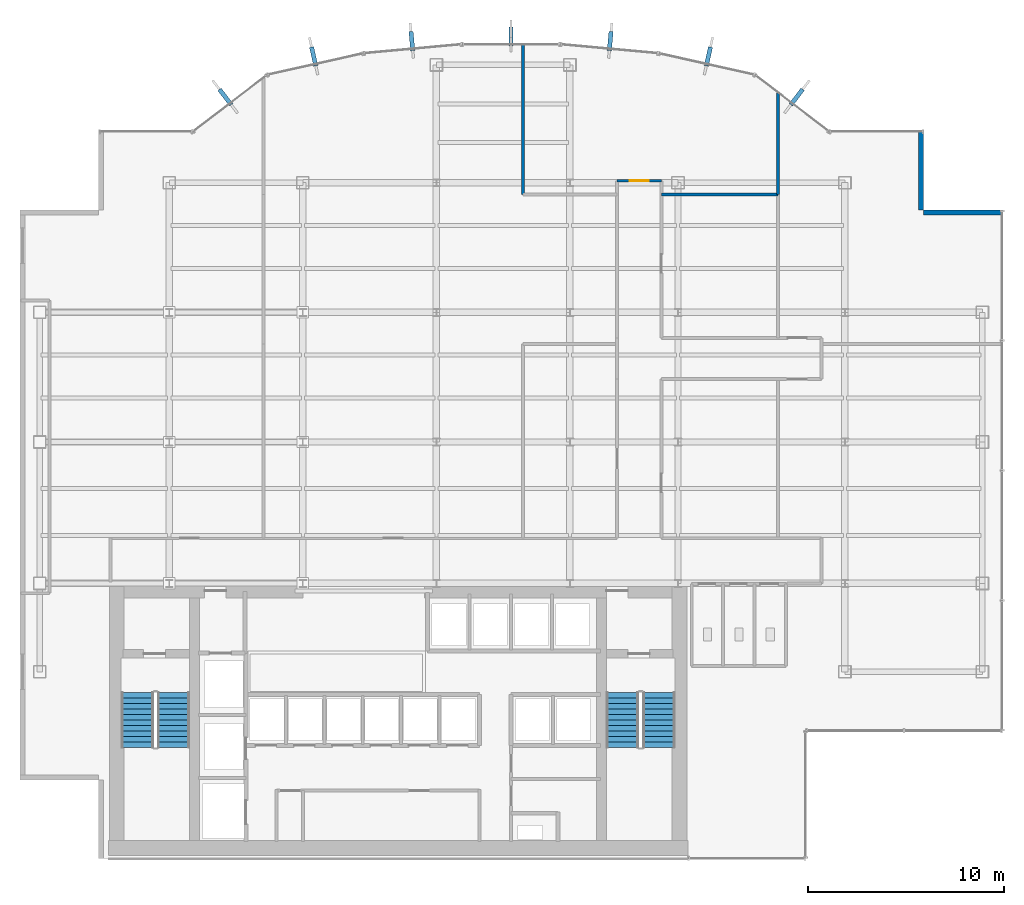
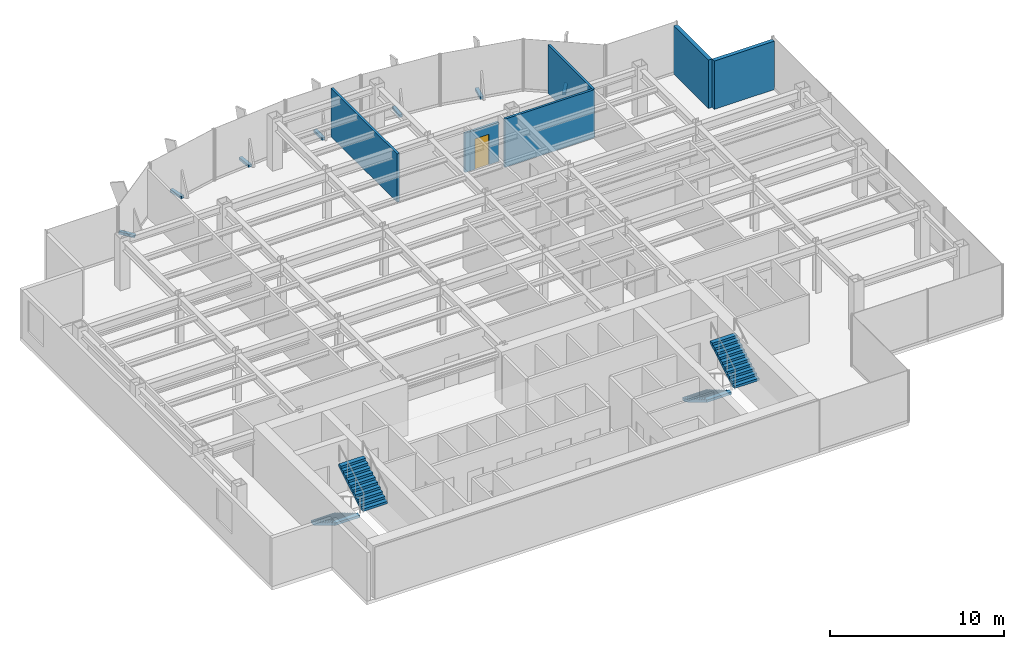
# One storey, part 16 of 19: 7 discrete accessories, 6 walls, 4 stair flights, 1 door, 1 opening, 2 elements without a shape of their own.
"""IFC4 building model written with IfcOpenShell, lengths in metres."""

from ifc_helpers import new_model, si_unit, derived_unit, direction, frame, frame_2d, origin, origin_2d, place, context, subcontext, project, spatial, polyline, rectangle, outline, extrude, source, transform, mapped, material, layer, layer_set, type_object, element, fill, aggregate, save


model = new_model("IFC4")

# Units and contexts
model_context = context("Model", 3, precision=1e-05, world=origin(), true_north=direction((0.0, 1.0)))
body_context = subcontext(model_context, "Body", "Model", "MODEL_VIEW")
ifc_project = project(units=[si_unit("LENGTHUNIT", "METRE"), si_unit("AREAUNIT", "SQUARE_METRE"), si_unit("VOLUMEUNIT", "CUBIC_METRE"), si_unit("PLANEANGLEUNIT", "RADIAN"), si_unit("MASSUNIT", "GRAM", prefix="KILO"), derived_unit("THERMALTRANSMITTANCEUNIT", [(si_unit("POWERUNIT", "WATT"), 1), (si_unit("LENGTHUNIT", "METRE"), -2), (si_unit("THERMODYNAMICTEMPERATUREUNIT", "KELVIN"), -1)])], contexts=[model_context])

# Site, building, storey
site_placement = place(None, origin())
site = spatial("IfcSite", under=ifc_project, at=site_placement, CompositionType="ELEMENT")
building_placement = place(site_placement, origin())
building = spatial("IfcBuilding", under=site, at=building_placement, Name="Skarnbrae Concourse Arena and Tower", CompositionType="ELEMENT")
storey_placement = place(building_placement, frame((0.0, 0.0, 180.75)))
storey = spatial("IfcBuildingStorey", under=building, at=storey_placement, Name="L46", CompositionType="ELEMENT", Elevation=180.75)

# Walls
ifc_material_1 = material(Name="Precast concrete 40 MPa (C40/50)", Category="concrete")
ifc_layer_1 = layer(ifc_material_1, 0.25)
ifc_layer_set_1 = layer_set([ifc_layer_1], Name="Precast concrete 40 MPa (C40/50)")
wall_type_1 = type_object("IfcWallType", Name="WALL-EXT-SPANDREL-250", PredefinedType="STANDARD", material=ifc_layer_set_1)
shared_shape_1 = source(origin(), body_context, "Body", "SweptSolid", [
    extrude(rectangle(XDim=4.0, YDim=0.25, at=frame_2d((2.0, 0.0))), origin(), (0.0, 0.0, 1.0), 3.39990234375),
])
for number, where, z_axis, x_axis, name in (
    (1, (50.0, 32.875, 0.0), (0.0, 0.0, 1.0), (-1.0, 0.0, 0.0), "L46 Notched corner insulated return wall 05"),
    (2, (45.875, 33.0, 0.0), (0.0, 0.0, 1.0), (0.0, 1.0, 0.0), "L46 Notched corner insulated return wall 06"),
):
    element("IfcWall", number, at=place(storey_placement, frame(where, z_axis=z_axis, x_axis=x_axis)), inside=storey, type_object=wall_type_1, Name=name, PredefinedType="STANDARD", context=body_context, shape_type="MappedRepresentation", body=[
        mapped(shared_shape_1, transform((0.0, 0.0, 0.0))),
    ])

# Wall, opening, door
ifc_material_2 = material(Name="Gypsum board on cold-formed steel studs", Category="steel")
ifc_layer_2 = layer(ifc_material_2, 0.14990234375)
ifc_layer_set_2 = layer_set([ifc_layer_2], Name="Gypsum board on cold-formed steel studs")
wall_type_2 = type_object("IfcWallType", Name="WALL-PART-150-1HR", PredefinedType="PARTITIONING", material=ifc_layer_set_2)
shared_shape_2 = source(origin(), body_context, "Body", "SweptSolid", [
    extrude(rectangle(XDim=2.25, YDim=0.14990234375, at=frame_2d((1.125, 0.0))), origin(), (0.0, 0.0, 1.0), 2.760009765625),
])
wall_1_placement = place(storey_placement, frame((30.39990234375, 34.5, 0.0), z_axis=(0.0, 0.0, 1.0), x_axis=(1.0, 0.0, 0.0)))
wall_1 = element("IfcWall", 3, at=wall_1_placement, inside=storey, type_object=wall_type_2, Name="L46 Interior partition wall W-L46-COR-06", PredefinedType="PARTITIONING", context=body_context, shape_type="MappedRepresentation", body=[
    mapped(shared_shape_2, transform((0.0, 0.0, 0.0))),
])
opening_placement = place(wall_1_placement, frame((0.64990234375, 0.0, 0.0)))
opening = element("IfcOpeningElement", 4, at=opening_placement, cuts=wall_1, Name="Opening DT-04", PredefinedType="OPENING", context=body_context, shape_type="SweptSolid", body=[
    extrude(rectangle(XDim=0.949951171875, YDim=2.14990234375, at=frame_2d((0.47509765625, 1.074951171875))), frame((0.0, 0.0849609375, 0.0), z_axis=(0.0, -1.0, 0.0), x_axis=(1.0, 0.0, 0.0)), (0.0, 0.0, 1.0), 0.169921875),
])
ifc_material_3 = material(Name="Steel CSA G40.21 350W", Category="steel")
door_type = type_object("IfcDoorType", Name="DOOR-INT-950-45M", OperationType="NOTDEFINED", PredefinedType="DOOR", material=ifc_material_3)
shared_shape_3 = source(origin(), body_context, "Body", "SweptSolid", [
    extrude(rectangle(XDim=0.949951171875, YDim=2.14990234375, at=frame_2d((0.47509765625, 1.074951171875))), frame((0.0, 0.02490234375, 0.0), z_axis=(0.0, -1.0, 0.0), x_axis=(1.0, 0.0, 0.0)), (0.0, 0.0, 1.0), 0.050048828125),
])
door_placement = place(opening_placement, origin())
door = element("IfcDoor", 5, at=door_placement, inside=storey, type_object=door_type, Name="D-1429 L46 Suite Door 04", OperationType="SINGLE_SWING_LEFT", OverallHeight=2.14990234375, OverallWidth=0.949951171875, PredefinedType="DOOR", context=body_context, shape_type="MappedRepresentation", body=[
    mapped(shared_shape_3, transform((0.0, 0.0, 0.0))),
])
fill(opening, door)

# Walls
ifc_layer_3 = layer(ifc_material_2, 0.14990234375)
ifc_layer_set_3 = layer_set([ifc_layer_3], Name="Gypsum board on cold-formed steel studs")
wall_type_3 = type_object("IfcWallType", Name="WALL-PART-150", PredefinedType="PARTITIONING", material=ifc_layer_set_3)
shared_shape_4 = source(origin(), body_context, "Body", "SweptSolid", [
    extrude(rectangle(XDim=7.62548828125, YDim=0.14990234375, at=frame_2d((3.812744140625, 0.0))), origin(), (0.0, 0.0, 1.0), 3.39990234375),
])
wall_2_placement = place(storey_placement, frame((25.60009765625, 41.425537109375, 0.0), z_axis=(0.0, 0.0, 1.0), x_axis=(0.0, -1.0, 0.0)))
element("IfcWall", 6, at=wall_2_placement, inside=storey, type_object=wall_type_3, Name="L46 Interior partition wall W-L46-DEM-20", PredefinedType="PARTITIONING", context=body_context, shape_type="MappedRepresentation", body=[
    mapped(shared_shape_4, transform((0.0, 0.0, 0.0))),
])
shared_shape_5 = source(origin(), body_context, "Body", "SweptSolid", [
    extrude(rectangle(XDim=5.9501953125, YDim=0.14990234375, at=frame_2d((2.97509765625, 0.0))), origin(), (0.0, 0.0, 1.0), 3.39990234375),
])
wall_3_placement = place(storey_placement, frame((38.60009765625, 33.800048828125, 0.0), z_axis=(0.0, 0.0, 1.0), x_axis=(-1.0, 0.0, 0.0)))
element("IfcWall", 7, at=wall_3_placement, inside=storey, type_object=wall_type_3, Name="L46 Interior partition wall W-L46-DEM-22", PredefinedType="PARTITIONING", context=body_context, shape_type="MappedRepresentation", body=[
    mapped(shared_shape_5, transform((0.0, 0.0, 0.0))),
])
shared_shape_6 = source(origin(), body_context, "Body", "SweptSolid", [
    extrude(rectangle(XDim=5.158935546875, YDim=0.14990234375, at=frame_2d((2.57958984375, 0.0))), origin(), (0.0, 0.0, 1.0), 3.39990234375),
])
wall_4_placement = place(storey_placement, frame((38.60009765625, 38.958984375, 0.0), z_axis=(0.0, 0.0, 1.0), x_axis=(0.0, -1.0, 0.0)))
element("IfcWall", 8, at=wall_4_placement, inside=storey, type_object=wall_type_3, Name="L46 Interior partition wall W-L46-DEM-25", PredefinedType="PARTITIONING", context=body_context, shape_type="MappedRepresentation", body=[
    mapped(shared_shape_6, transform((0.0, 0.0, 0.0))),
])

# Stair, stair flights
ifc_material_4 = material(Name="Concrete 40 MPa (C40/50)", Category="concrete")
stair_type = type_object("IfcStairType", Name="STAIR-DOGLEG-1650", PredefinedType="HALF_TURN_STAIR", material=ifc_material_4)
stair_1_placement = place(storey_placement, origin())
stair_1 = element("IfcStair", 9, at=stair_1_placement, inside=storey, type_object=stair_type, Name="L46 Protected Exit Stair ST-1", PredefinedType="HALF_TURN_STAIR")
stair_flight_type = type_object("IfcStairFlightType", Name="FLIGHT-STRAIGHT-1650", PredefinedType="STRAIGHT", material=ifc_material_4)
shared_shape_7 = source(origin(), body_context, "Body", "SweptSolid", [
    extrude(outline(polyline([(0.0, 0.0), (0.0, 0.166015625), (0.280029296875, 0.166015625), (0.280029296875, 0.331787109375), (0.56005859375, 0.331787109375), (0.56005859375, 0.497802734375), (0.840087890625, 0.497802734375), (0.840087890625, 0.66357421875), (1.1201171875, 0.66357421875), (1.1201171875, 0.82958984375), (1.39990234375, 0.82958984375), (1.39990234375, 0.995361328125), (1.679931640625, 0.995361328125), (1.679931640625, 1.161376953125), (1.9599609375, 1.161376953125), (1.9599609375, 1.327392578125), (2.239990234375, 1.327392578125), (2.239990234375, 1.4931640625), (2.52001953125, 1.4931640625), (2.52001953125, 1.6591796875), (2.800048828125, 1.6591796875), (2.800048828125, 1.824951171875), (2.800048828125, 1.48486328125), (0.2939453125, 0.0), (0.0, 0.0)])), frame((0.0, 0.824951171875, 0.0), z_axis=(0.0, -1.0, 0.0), x_axis=(1.0, 0.0, 0.0)), (0.0, 0.0, 1.0), 1.64990234375),
])
stair_flight_1_placement = place(storey_placement, frame((5.97509765625, 8.449951171875, 0.0), z_axis=(0.0, 0.0, 1.0), x_axis=(0.0, -1.0, 0.0)))
stair_flight_1 = element("IfcStairFlight", 10, at=stair_flight_1_placement, type_object=stair_flight_type, Name="ST-1 flight 1", NumberOfRisers=11, NumberOfTreads=10, PredefinedType="STRAIGHT", RiserHeight=0.165909091, TreadLength=0.28, context=body_context, shape_type="MappedRepresentation", body=[
    mapped(shared_shape_7, transform((0.0, 0.0, 0.0))),
])
stair_flight_2_placement = place(storey_placement, frame((7.824951171875, 5.64990234375, 1.824951171875), z_axis=(0.0, 0.0, 1.0), x_axis=(0.0, 1.0, 0.0)))
stair_flight_2 = element("IfcStairFlight", 11, at=stair_flight_2_placement, type_object=stair_flight_type, Name="ST-1 flight 2", NumberOfRisers=11, NumberOfTreads=10, PredefinedType="STRAIGHT", RiserHeight=0.165909091, TreadLength=0.28, context=body_context, shape_type="MappedRepresentation", body=[
    mapped(shared_shape_7, transform((0.0, 0.0, 0.0))),
])
aggregate(stair_1, [stair_flight_1, stair_flight_2])

stair_2_placement = place(storey_placement, origin())
stair_2 = element("IfcStair", 12, at=stair_2_placement, inside=storey, type_object=stair_type, Name="L46 Protected Exit Stair ST-2", PredefinedType="HALF_TURN_STAIR")
stair_flight_3_placement = place(storey_placement, frame((30.675048828125, 8.449951171875, 0.0), z_axis=(0.0, 0.0, 1.0), x_axis=(0.0, -1.0, 0.0)))
stair_flight_3 = element("IfcStairFlight", 13, at=stair_flight_3_placement, type_object=stair_flight_type, Name="ST-2 flight 1", NumberOfRisers=11, NumberOfTreads=10, PredefinedType="STRAIGHT", RiserHeight=0.165909091, TreadLength=0.28, context=body_context, shape_type="MappedRepresentation", body=[
    mapped(shared_shape_7, transform((0.0, 0.0, 0.0))),
])
stair_flight_4_placement = place(storey_placement, frame((32.52490234375, 5.64990234375, 1.824951171875), z_axis=(0.0, 0.0, 1.0), x_axis=(0.0, 1.0, 0.0)))
stair_flight_4 = element("IfcStairFlight", 14, at=stair_flight_4_placement, type_object=stair_flight_type, Name="ST-2 flight 2", NumberOfRisers=11, NumberOfTreads=10, PredefinedType="STRAIGHT", RiserHeight=0.165909091, TreadLength=0.28, context=body_context, shape_type="MappedRepresentation", body=[
    mapped(shared_shape_7, transform((0.0, 0.0, 0.0))),
])
aggregate(stair_2, [stair_flight_3, stair_flight_4])

# Discrete accessories
ifc_material_5 = material(Name="Bronze anodised aluminium 6063-T6", Category="aluminium")
discrete_accessory_type = type_object("IfcDiscreteAccessoryType", Name="ACC-FIN-BRACKET", PredefinedType="BRACKET", material=ifc_material_5)
shared_shape_8 = source(origin(), body_context, "Body", "SweptSolid", [
    extrude(rectangle(XDim=0.219970703125, YDim=0.97998046875, at=origin_2d()), origin(), (0.0, 0.0, 1.0), 0.179931640625),
])
for number, where, z_axis, x_axis, name in (
    (15, (39.54736328125, 38.764404296875, -0.02978515625), (0.0, 0.0, 1.0), (0.794954941871, -0.606668476513, 0.0), "L46 Bronze fin foot support bracket 08"),
    (16, (35.048095703125, 40.830078125, -0.02978515625), (0.0, 0.0, 1.0), (0.975935794812, -0.218058075762, 0.0), "L46 Bronze fin foot support bracket 09"),
    (17, (30.04833984375, 41.614501953125, -0.02978515625), (0.0, 0.0, 1.0), (0.99581928833, -0.091345196863, 0.0), "L46 Bronze fin foot support bracket 10"),
    (18, (25.0, 41.845703125, -0.02978515625), (0.0, 0.0, 1.0), (1.0, 0.0, 0.0), "L46 Bronze fin foot support bracket 11"),
    (19, (19.95166015625, 41.614501953125, -0.02978515625), (0.0, 0.0, 1.0), (0.99581928833, 0.091345196863, 0.0), "L46 Bronze fin foot support bracket 12"),
    (20, (14.951904296875, 40.830078125, -0.02978515625), (0.0, 0.0, 1.0), (0.975935794812, 0.218058075762, 0.0), "L46 Bronze fin foot support bracket 13"),
    (21, (10.45263671875, 38.764404296875, -0.02978515625), (0.0, 0.0, 1.0), (0.794954941871, 0.606668476513, 0.0), "L46 Bronze fin foot support bracket 14"),
):
    element("IfcDiscreteAccessory", number, at=place(storey_placement, frame(where, z_axis=z_axis, x_axis=x_axis)), inside=storey, type_object=discrete_accessory_type, Name=name, PredefinedType="BRACKET", context=body_context, shape_type="MappedRepresentation", body=[
        mapped(shared_shape_8, transform((0.0, 0.0, 0.0))),
    ])

save(model, "model.ifc")
